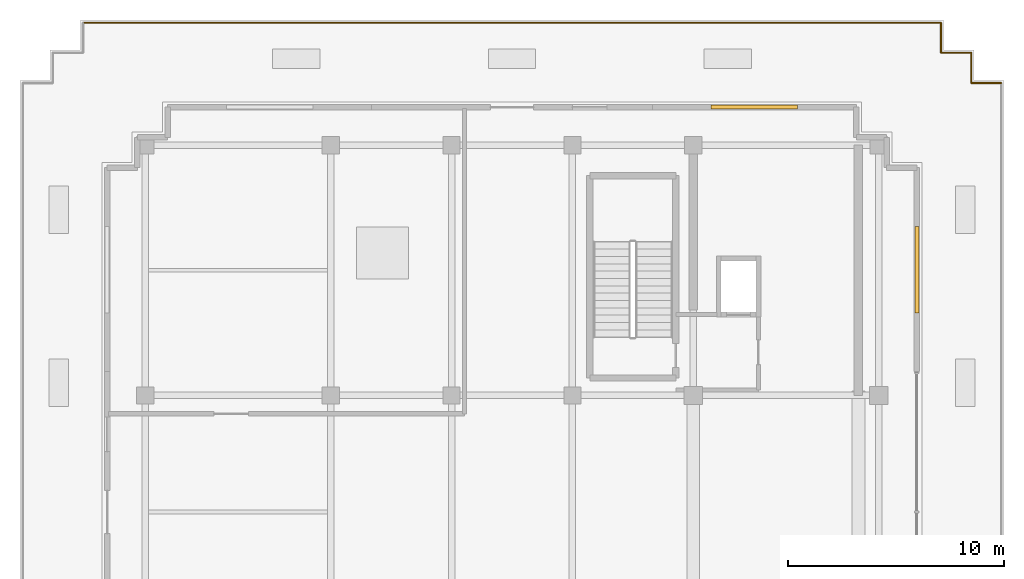
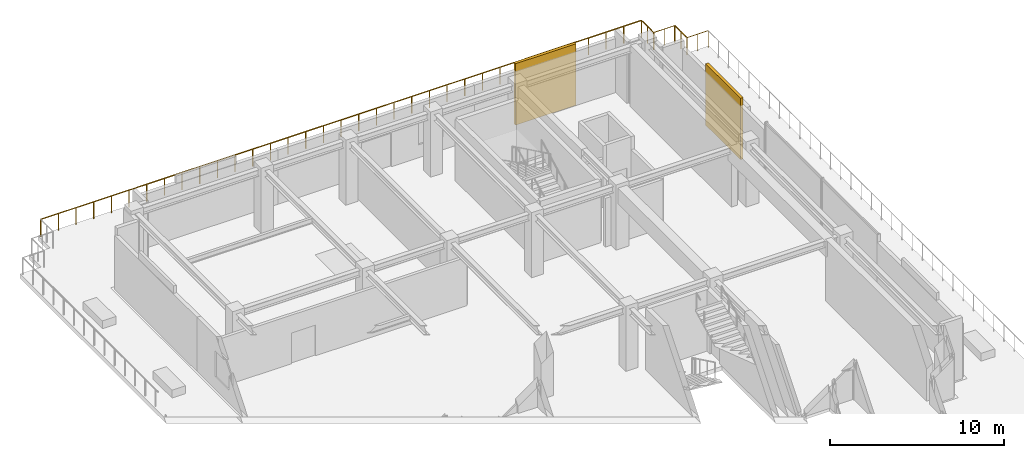
# One storey, part 12 of 13: 5 railings, 2 shading devices.
"""IFC4 building model written with IfcOpenShell, lengths in metres."""

from ifc_helpers import new_model, si_unit, direction, frame, origin, origin_2d, place, context, subcontext, project, spatial, rectangle, circle, extrude, source, transform, mapped, material, layer, layer_set, type_object, element, save


model = new_model("IFC4")

# Units and contexts
model_context = context("Model", 3, precision=1e-05, world=origin(), true_north=direction((0.0, 1.0)))
body_context = subcontext(model_context, "Body", "Model", "MODEL_VIEW")
ifc_project = project(units=[si_unit("LENGTHUNIT", "METRE"), si_unit("AREAUNIT", "SQUARE_METRE"), si_unit("VOLUMEUNIT", "CUBIC_METRE"), si_unit("PLANEANGLEUNIT", "RADIAN"), si_unit("MASSUNIT", "GRAM", prefix="KILO")], contexts=[model_context])

# Site, building, storey
site_placement = place(None, origin())
site = spatial("IfcSite", under=ifc_project, at=site_placement, CompositionType="ELEMENT")
building_placement = place(site_placement, origin())
building = spatial("IfcBuilding", under=site, at=building_placement, Name="Nahalor Promenade Grand Hotel", CompositionType="ELEMENT")
storey_placement = place(building_placement, frame((0.0, 0.0, 357.050048828125)))
storey = spatial("IfcBuildingStorey", under=building, at=storey_placement, Name="L91", CompositionType="ELEMENT", Elevation=357.050048828125)

# Railings
ifc_material = material(Name="Anodised Bronze Aluminium EN AW-6063 T6", Category="aluminium")
railing_type = type_object("IfcRailingType", Name="Bronze Balcony Guardrail 1200 mm", PredefinedType="GUARDRAIL", material=ifc_material)
railing_1_placement = place(storey_placement, frame((22.679931640625, 19.8798828125, 0.0)))
element("IfcRailing", 1, at=railing_1_placement, inside=storey, type_object=railing_type, Name="L91 Edge Guardrail RL-L91-SG-7", PredefinedType="GUARDRAIL", context=body_context, shape_type="SweptSolid", body=[
    extrude(circle(Radius=0.024048, at=origin_2d()), frame((0.0, 0.0, 1.17578125), z_axis=(-1.0, 0.0, 0.0), x_axis=(0.0, -1.0, 0.0)), (0.0, 0.0, 1.0), 1.39990234375),
    extrude(circle(Radius=0.020996, at=origin_2d()), origin(), (0.0, 0.0, 1.0), 1.14990234375),
    extrude(circle(Radius=0.020996, at=origin_2d()), frame((-0.699951171875, 0.0, 0.0)), (0.0, 0.0, 1.0), 1.14990234375),
    extrude(circle(Radius=0.020996, at=origin_2d()), frame((-1.39990234375, 0.0, 0.0)), (0.0, 0.0, 1.0), 1.14990234375),
])
railing_2_placement = place(storey_placement, frame((21.280029296875, 19.8798828125, 0.0)))
element("IfcRailing", 2, at=railing_2_placement, inside=storey, type_object=railing_type, Name="L91 Edge Guardrail RL-L91-SG-8", PredefinedType="GUARDRAIL", context=body_context, shape_type="SweptSolid", body=[
    extrude(circle(Radius=0.024048, at=origin_2d()), frame((0.0, 0.0, 1.17578125), z_axis=(0.0, 1.0, 0.0), x_axis=(-1.0, 0.0, 0.0)), (0.0, 0.0, 1.0), 1.400146484375),
    extrude(circle(Radius=0.020996, at=origin_2d()), origin(), (0.0, 0.0, 1.0), 1.14990234375),
    extrude(circle(Radius=0.020996, at=origin_2d()), frame((0.0, 0.7001953125, 0.0)), (0.0, 0.0, 1.0), 1.14990234375),
    extrude(circle(Radius=0.020996, at=origin_2d()), frame((0.0, 1.400146484375, 0.0)), (0.0, 0.0, 1.0), 1.14990234375),
])
railing_3_placement = place(storey_placement, frame((21.280029296875, 21.280029296875, 0.0)))
element("IfcRailing", 3, at=railing_3_placement, inside=storey, type_object=railing_type, Name="L91 Edge Guardrail RL-L91-SG-9", PredefinedType="GUARDRAIL", context=body_context, shape_type="SweptSolid", body=[
    extrude(circle(Radius=0.024048, at=origin_2d()), frame((0.0, 0.0, 1.17578125), z_axis=(-1.0, 0.0, 0.0), x_axis=(0.0, -1.0, 0.0)), (0.0, 0.0, 1.0), 1.400146484375),
    extrude(circle(Radius=0.020996, at=origin_2d()), origin(), (0.0, 0.0, 1.0), 1.14990234375),
    extrude(circle(Radius=0.020996, at=origin_2d()), frame((-0.7001953125, 0.0, 0.0)), (0.0, 0.0, 1.0), 1.14990234375),
    extrude(circle(Radius=0.020996, at=origin_2d()), frame((-1.400146484375, 0.0, 0.0)), (0.0, 0.0, 1.0), 1.14990234375),
])
railing_4_placement = place(storey_placement, frame((19.8798828125, 21.280029296875, 0.0)))
element("IfcRailing", 4, at=railing_4_placement, inside=storey, type_object=railing_type, Name="L91 Edge Guardrail RL-L91-SG-10", PredefinedType="GUARDRAIL", context=body_context, shape_type="SweptSolid", body=[
    extrude(circle(Radius=0.024048, at=origin_2d()), frame((0.0, 0.0, 1.17578125), z_axis=(0.0, 1.0, 0.0), x_axis=(-1.0, 0.0, 0.0)), (0.0, 0.0, 1.0), 1.39990234375),
    extrude(circle(Radius=0.020996, at=origin_2d()), origin(), (0.0, 0.0, 1.0), 1.14990234375),
    extrude(circle(Radius=0.020996, at=origin_2d()), frame((0.0, 0.699951171875, 0.0)), (0.0, 0.0, 1.0), 1.14990234375),
    extrude(circle(Radius=0.020996, at=origin_2d()), frame((0.0, 1.39990234375, 0.0)), (0.0, 0.0, 1.0), 1.14990234375),
])
railing_5_placement = place(storey_placement, frame((19.8798828125, 22.679931640625, 0.0)))
element("IfcRailing", 5, at=railing_5_placement, inside=storey, type_object=railing_type, Name="L91 Edge Guardrail RL-L91-SG-11", PredefinedType="GUARDRAIL", context=body_context, shape_type="SweptSolid", body=[
    extrude(circle(Radius=0.024048, at=origin_2d()), frame((0.0, 0.0, 1.17578125), z_axis=(-1.0, 0.0, 0.0), x_axis=(0.0, -1.0, 0.0)), (0.0, 0.0, 1.0), 39.759765625),
    extrude(circle(Radius=0.020996, at=origin_2d()), origin(), (0.0, 0.0, 1.0), 1.14990234375),
    extrude(circle(Radius=0.020996, at=origin_2d()), frame((-1.16943359375, 0.0, 0.0)), (0.0, 0.0, 1.0), 1.14990234375),
    extrude(circle(Radius=0.020996, at=origin_2d()), frame((-2.3388671875, 0.0, 0.0)), (0.0, 0.0, 1.0), 1.14990234375),
    extrude(circle(Radius=0.020996, at=origin_2d()), frame((-3.50830078125, 0.0, 0.0)), (0.0, 0.0, 1.0), 1.14990234375),
    extrude(circle(Radius=0.020996, at=origin_2d()), frame((-4.677734375, 0.0, 0.0)), (0.0, 0.0, 1.0), 1.14990234375),
    extrude(circle(Radius=0.020996, at=origin_2d()), frame((-5.846923828125, 0.0, 0.0)), (0.0, 0.0, 1.0), 1.14990234375),
    extrude(circle(Radius=0.020996, at=origin_2d()), frame((-7.016357421875, 0.0, 0.0)), (0.0, 0.0, 1.0), 1.14990234375),
    extrude(circle(Radius=0.020996, at=origin_2d()), frame((-8.185791015625, 0.0, 0.0)), (0.0, 0.0, 1.0), 1.14990234375),
    extrude(circle(Radius=0.020996, at=origin_2d()), frame((-9.355224609375, 0.0, 0.0)), (0.0, 0.0, 1.0), 1.14990234375),
    extrude(circle(Radius=0.020996, at=origin_2d()), frame((-10.524658203125, 0.0, 0.0)), (0.0, 0.0, 1.0), 1.14990234375),
    extrude(circle(Radius=0.020996, at=origin_2d()), frame((-11.694091796875, 0.0, 0.0)), (0.0, 0.0, 1.0), 1.14990234375),
    extrude(circle(Radius=0.020996, at=origin_2d()), frame((-12.863525390625, 0.0, 0.0)), (0.0, 0.0, 1.0), 1.14990234375),
    extrude(circle(Radius=0.020996, at=origin_2d()), frame((-14.032958984375, 0.0, 0.0)), (0.0, 0.0, 1.0), 1.14990234375),
    extrude(circle(Radius=0.020996, at=origin_2d()), frame((-15.2021484375, 0.0, 0.0)), (0.0, 0.0, 1.0), 1.14990234375),
    extrude(circle(Radius=0.020996, at=origin_2d()), frame((-16.37158203125, 0.0, 0.0)), (0.0, 0.0, 1.0), 1.14990234375),
    extrude(circle(Radius=0.020996, at=origin_2d()), frame((-17.541015625, 0.0, 0.0)), (0.0, 0.0, 1.0), 1.14990234375),
    extrude(circle(Radius=0.020996, at=origin_2d()), frame((-18.71044921875, 0.0, 0.0)), (0.0, 0.0, 1.0), 1.14990234375),
    extrude(circle(Radius=0.020996, at=origin_2d()), frame((-19.8798828125, 0.0, 0.0)), (0.0, 0.0, 1.0), 1.14990234375),
    extrude(circle(Radius=0.020996, at=origin_2d()), frame((-21.04931640625, 0.0, 0.0)), (0.0, 0.0, 1.0), 1.14990234375),
    extrude(circle(Radius=0.020996, at=origin_2d()), frame((-22.21875, 0.0, 0.0)), (0.0, 0.0, 1.0), 1.14990234375),
    extrude(circle(Radius=0.020996, at=origin_2d()), frame((-23.38818359375, 0.0, 0.0)), (0.0, 0.0, 1.0), 1.14990234375),
    extrude(circle(Radius=0.020996, at=origin_2d()), frame((-24.5576171875, 0.0, 0.0)), (0.0, 0.0, 1.0), 1.14990234375),
    extrude(circle(Radius=0.020996, at=origin_2d()), frame((-25.726806640625, 0.0, 0.0)), (0.0, 0.0, 1.0), 1.14990234375),
    extrude(circle(Radius=0.020996, at=origin_2d()), frame((-26.896240234375, 0.0, 0.0)), (0.0, 0.0, 1.0), 1.14990234375),
    extrude(circle(Radius=0.020996, at=origin_2d()), frame((-28.065673828125, 0.0, 0.0)), (0.0, 0.0, 1.0), 1.14990234375),
    extrude(circle(Radius=0.020996, at=origin_2d()), frame((-29.235107421875, 0.0, 0.0)), (0.0, 0.0, 1.0), 1.14990234375),
    extrude(circle(Radius=0.020996, at=origin_2d()), frame((-30.404541015625, 0.0, 0.0)), (0.0, 0.0, 1.0), 1.14990234375),
    extrude(circle(Radius=0.020996, at=origin_2d()), frame((-31.573974609375, 0.0, 0.0)), (0.0, 0.0, 1.0), 1.14990234375),
    extrude(circle(Radius=0.020996, at=origin_2d()), frame((-32.743408203125, 0.0, 0.0)), (0.0, 0.0, 1.0), 1.14990234375),
    extrude(circle(Radius=0.020996, at=origin_2d()), frame((-33.912841796875, 0.0, 0.0)), (0.0, 0.0, 1.0), 1.14990234375),
    extrude(circle(Radius=0.020996, at=origin_2d()), frame((-35.08203125, 0.0, 0.0)), (0.0, 0.0, 1.0), 1.14990234375),
    extrude(circle(Radius=0.020996, at=origin_2d()), frame((-36.25146484375, 0.0, 0.0)), (0.0, 0.0, 1.0), 1.14990234375),
    extrude(circle(Radius=0.020996, at=origin_2d()), frame((-37.4208984375, 0.0, 0.0)), (0.0, 0.0, 1.0), 1.14990234375),
    extrude(circle(Radius=0.020996, at=origin_2d()), frame((-38.59033203125, 0.0, 0.0)), (0.0, 0.0, 1.0), 1.14990234375),
    extrude(circle(Radius=0.020996, at=origin_2d()), frame((-39.759765625, 0.0, 0.0)), (0.0, 0.0, 1.0), 1.14990234375),
])

# Shading devices
ifc_layer = layer(ifc_material, 0.179931640625)
ifc_layer_set = layer_set([ifc_layer], Name="Anodised Bronze Aluminium EN AW-6063 T6")
shading_device_type = type_object("IfcShadingDeviceType", Name="Shade-PlantLouvre-Bronze", PredefinedType="USERDEFINED", material=ifc_layer_set)
shared_shape = source(origin(), body_context, "Body", "SweptSolid", [
    extrude(rectangle(XDim=4.0, YDim=0.179931640625, at=origin_2d()), origin(), (0.0, 0.0, 1.0), 4.300048828125),
])
for number, where, z_axis, x_axis, name in (
    (6, (11.22998046875, 18.760009765625, 0.0), (0.0, 0.0, 1.0), (1.0, 0.0, 0.0), "LV-L91-NR"),
    (7, (18.760009765625, 11.22998046875, 0.0), (0.0, 0.0, 1.0), (0.0, 1.0, 0.0), "LV-L91-ER"),
):
    element("IfcShadingDevice", number, at=place(storey_placement, frame(where, z_axis=z_axis, x_axis=x_axis)), inside=storey, type_object=shading_device_type, Name=name, ObjectType="LOUVRE", PredefinedType="USERDEFINED", context=body_context, shape_type="MappedRepresentation", body=[
        mapped(shared_shape, transform((0.0, 0.0, 0.0), scale=1.0)),
    ])

save(model, "model.ifc")
